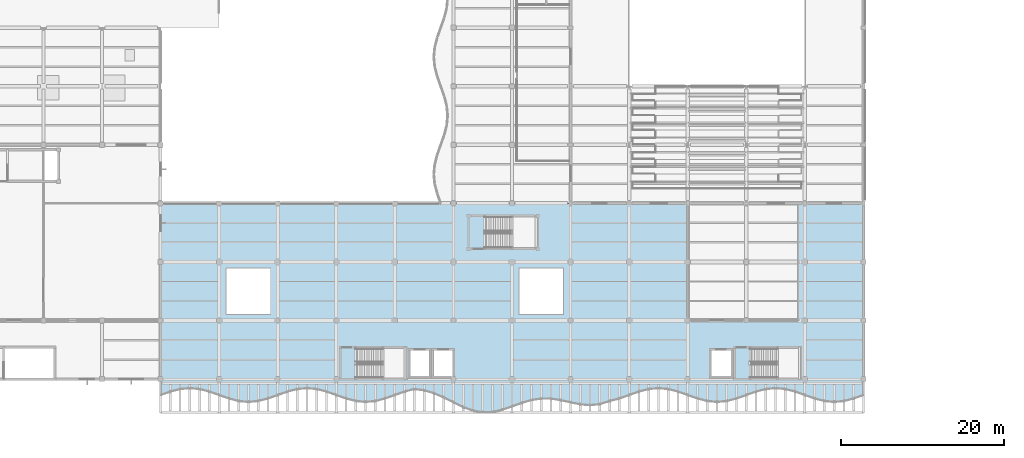
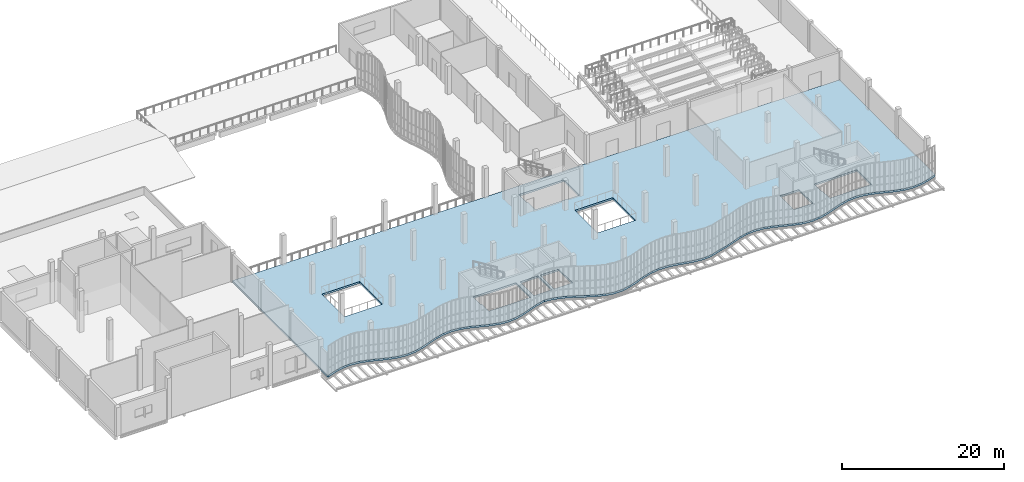
# One storey, part 77 of 105: 1 slab.
"""IFC4 building model written with IfcOpenShell, lengths in metres."""

from ifc_helpers import new_model, si_unit, direction, frame, origin, place, context, subcontext, project, spatial, polyline, outline, extrude, material, layer, layer_set, type_object, element, save


model = new_model("IFC4")

# Units and contexts
model_context = context("Model", 3, precision=1e-05, world=origin(), true_north=direction((0.0, 1.0)))
body_context = subcontext(model_context, "Body", "Model", "MODEL_VIEW")
ifc_project = project(units=[si_unit("LENGTHUNIT", "METRE"), si_unit("AREAUNIT", "SQUARE_METRE"), si_unit("VOLUMEUNIT", "CUBIC_METRE"), si_unit("PLANEANGLEUNIT", "RADIAN"), si_unit("MASSUNIT", "GRAM", prefix="KILO"), si_unit("THERMODYNAMICTEMPERATUREUNIT", "KELVIN"), si_unit("POWERUNIT", "WATT")], contexts=[model_context])

# Site, building, storey
site_placement = place(None, origin())
site = spatial("IfcSite", under=ifc_project, at=site_placement, CompositionType="ELEMENT")
building_placement = place(site_placement, origin())
building = spatial("IfcBuilding", under=site, at=building_placement, Name="Kaldorven Railside Theatre", CompositionType="ELEMENT")
storey_placement = place(building_placement, frame((0.0, 0.0, 9.89990234375)))
storey = spatial("IfcBuildingStorey", under=building, at=storey_placement, Name="L02", CompositionType="ELEMENT", Elevation=9.89990234375)

# Slab
ifc_material = material(Name="Concrete C35/45", Category="concrete")
ifc_layer = layer(ifc_material, 0.280029296875, Name="Concrete C35/45")
ifc_layer_set = layer_set([ifc_layer], Name="Concrete C35/45")
slab_type = type_object("IfcSlabType", Name="SLB-FSL-280", PredefinedType="FLOOR", material=ifc_layer_set)
slab_placement = place(storey_placement, frame((0.0, 0.0, -0.27978515625)))
element("IfcSlab", 1, at=slab_placement, inside=storey, type_object=slab_type, Name="L02 Floor Slab SL-L02-V5S", PredefinedType="FLOOR", context=body_context, shape_type="SweptSolid", body=[
    extrude(outline(polyline([(36.800048828125, 17.25), (38.0, 17.675048828125), (39.199951171875, 17.986083984375), (40.39990234375, 18.10009765625), (41.60009765625, 17.986083984375), (42.800048828125, 17.675048828125), (44.0, 17.25), (45.199951171875, 16.824951171875), (46.39990234375, 16.513916015625), (47.60009765625, 16.39990234375), (48.800048828125, 16.513916015625), (50.0, 16.824951171875), (51.199951171875, 17.25), (52.39990234375, 17.675048828125), (53.60009765625, 17.986083984375), (54.800048828125, 18.10009765625), (56.0, 17.986083984375), (57.199951171875, 17.675048828125), (58.39990234375, 17.25), (59.60009765625, 16.824951171875), (60.800048828125, 16.513916015625), (62.0, 16.39990234375), (63.199951171875, 16.513916015625), (64.39990234375, 16.824951171875), (65.60009765625, 17.25), (66.800048828125, 17.675048828125), (68.0, 17.986083984375), (69.199951171875, 17.830322265625), (70.39990234375, 17.476318359375), (71.60009765625, 16.954345703125), (72.800048828125, 16.347412109375), (74.0, 15.768798828125), (75.199951171875, 15.332275390625), (76.39990234375, 15.12109375), (77.60009765625, 15.165771484375), (78.800048828125, 15.435302734375), (80.0, 15.846435546875), (81.199951171875, 16.285400390625), (82.39990234375, 16.637939453125), (83.60009765625, 16.8212890625), (84.800048828125, 16.8046875), (86.0, 16.618896484375), (87.199951171875, 16.347412109375), (88.39990234375, 16.1044921875), (89.60009765625, 16.004150390625), (90.800048828125, 16.13037109375), (92.0, 16.513916015625), (93.199951171875, 16.824951171875), (94.39990234375, 17.25), (95.60009765625, 17.675048828125), (96.800048828125, 17.986083984375), (98.0, 18.10009765625), (99.199951171875, 17.986083984375), (100.39990234375, 17.675048828125), (101.60009765625, 17.25), (102.800048828125, 16.824951171875), (104.0, 16.513916015625), (105.199951171875, 16.39990234375), (106.39990234375, 16.513916015625), (107.60009765625, 16.824951171875), (108.800048828125, 17.25), (110.0, 17.675048828125), (111.199951171875, 17.986083984375), (112.39990234375, 18.10009765625), (113.60009765625, 17.986083984375), (114.800048828125, 17.675048828125), (116.0, 17.25), (117.199951171875, 16.824951171875), (118.39990234375, 16.513916015625), (119.60009765625, 16.39990234375), (120.800048828125, 16.513916015625), (122.0, 16.824951171875), (123.199951171875, 17.25), (123.199951171875, 40.800048828125), (36.800048828125, 40.800048828125), (36.800048828125, 17.25)]), holes=[polyline([(60.75, 22.949951171875), (66.85009765625, 22.949951171875), (66.85009765625, 19.35009765625), (60.89990234375, 19.35009765625), (60.89990234375, 21.070068359375), (60.75, 21.070068359375), (60.75, 22.949951171875)]), polyline([(109.25, 22.949951171875), (115.35009765625, 22.949951171875), (115.35009765625, 19.35009765625), (109.39990234375, 19.35009765625), (109.39990234375, 21.070068359375), (109.25, 21.070068359375), (109.25, 22.949951171875)]), polyline([(76.60009765625, 39.14990234375), (83.0, 39.14990234375), (83.0, 35.35009765625), (76.75, 35.35009765625), (76.75, 37.169921875), (76.60009765625, 37.169921875), (76.60009765625, 39.14990234375)]), polyline([(69.949951171875, 19.449951171875), (69.949951171875, 22.85009765625), (67.35009765625, 22.85009765625), (67.35009765625, 19.449951171875), (69.949951171875, 19.449951171875)]), polyline([(72.85009765625, 19.449951171875), (72.85009765625, 22.85009765625), (70.25, 22.85009765625), (70.25, 19.449951171875), (72.85009765625, 19.449951171875)]), polyline([(107.050048828125, 19.449951171875), (107.050048828125, 22.85009765625), (104.35009765625, 22.85009765625), (104.35009765625, 19.449951171875), (107.050048828125, 19.449951171875)]), polyline([(80.89990234375, 27.199951171875), (86.300048828125, 27.199951171875), (86.300048828125, 32.800048828125), (80.89990234375, 32.800048828125), (80.89990234375, 27.199951171875)]), polyline([(44.89990234375, 27.199951171875), (50.300048828125, 27.199951171875), (50.300048828125, 32.800048828125), (44.89990234375, 32.800048828125), (44.89990234375, 27.199951171875)])]), origin(), (0.0, 0.0, 1.0), 0.27978515625),
])

save(model, "model.ifc")
